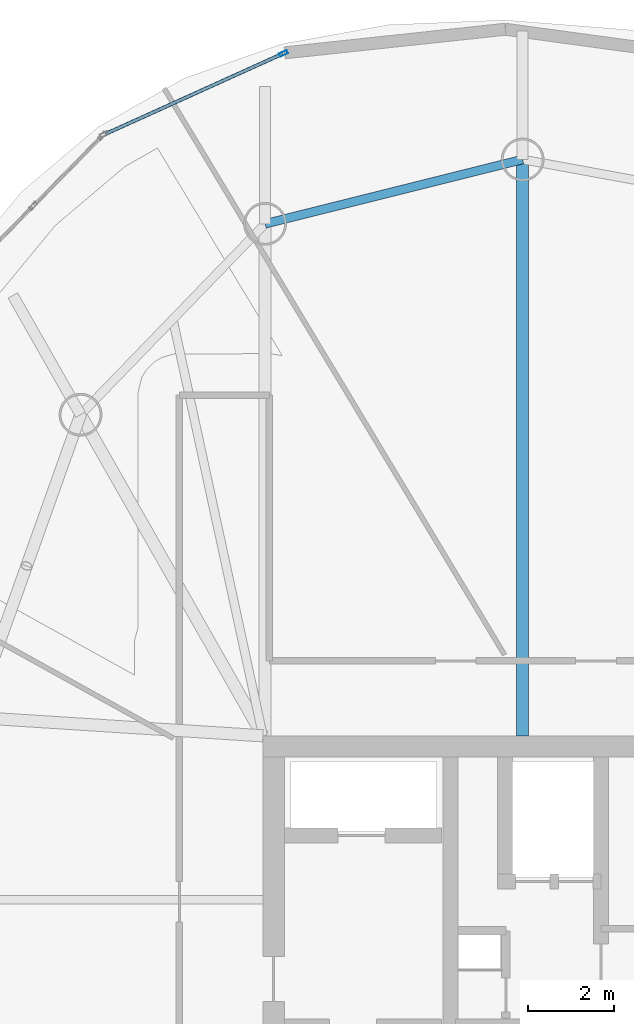
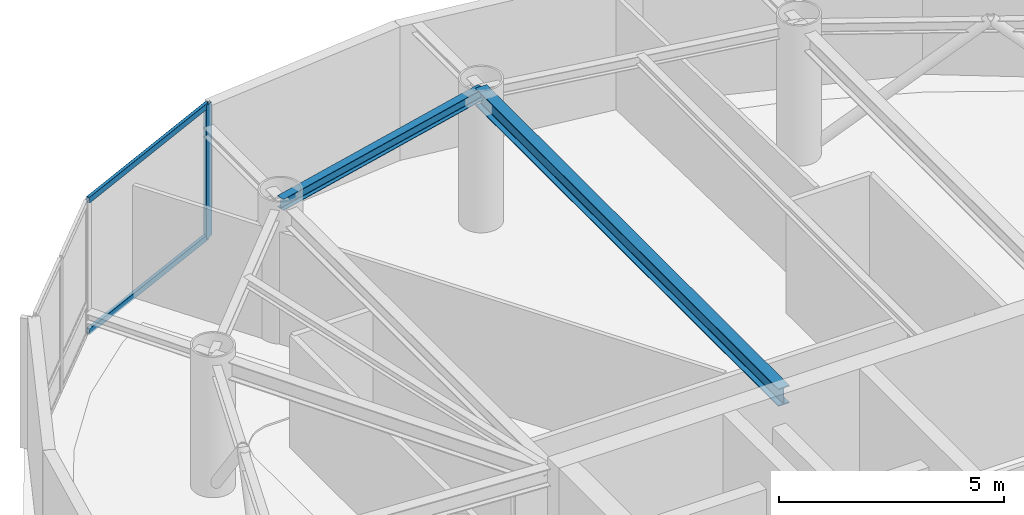
# One storey, part 13 of 22: 3 members, 2 beams, 1 element without a shape of its own.
"""IFC4 building model written with IfcOpenShell, lengths in metres."""

from ifc_helpers import new_model, si_unit, direction, frame, origin, origin_2d, place, context, subcontext, project, spatial, hollow_rectangle, i_section, extrude, material, layer, layer_set, material_profile, profile_set, type_object, element, aggregate, save


model = new_model("IFC4")

# Units and contexts
model_context = context("Model", 3, precision=1e-05, world=origin(), true_north=direction((0.0, 1.0)))
body_context = subcontext(model_context, "Body", "Model", "MODEL_VIEW")
ifc_project = project(units=[si_unit("LENGTHUNIT", "METRE"), si_unit("AREAUNIT", "SQUARE_METRE"), si_unit("VOLUMEUNIT", "CUBIC_METRE"), si_unit("PLANEANGLEUNIT", "RADIAN"), si_unit("MASSUNIT", "GRAM", prefix="KILO")], contexts=[model_context])

# Site, building, storey
site_placement = place(None, origin())
site = spatial("IfcSite", under=ifc_project, at=site_placement, CompositionType="ELEMENT")
building_placement = place(site_placement, origin())
building = spatial("IfcBuilding", under=site, at=building_placement, Name="Bramvorn Convention Spire", CompositionType="ELEMENT")
storey_placement = place(building_placement, frame((0.0, 0.0, 253.60009765625)))
storey = spatial("IfcBuildingStorey", under=building, at=storey_placement, Name="L64", CompositionType="ELEMENT", Elevation=253.60009765625)

# Beams
ifc_material_1 = material(Name="Steel CSA G40.21 Grade 350 (350W)", Category="steel")
ifc_material_profile_1 = material_profile(ifc_material_1, i_section(OverallWidth=0.202880859375, OverallDepth=0.302978515625, WebThickness=0.007568359375, FlangeThickness=0.01318359375, FilletRadius=0.013916015625, at=origin_2d()))
ifc_profile_set_1 = profile_set([ifc_material_profile_1], Name="Steel CSA G40.21 Grade 350 (350W) - W310X60")
beam_type_1 = type_object("IfcBeamType", Name="BM-W310X60", PredefinedType="JOIST", material=ifc_profile_set_1)
beam_1_placement = place(storey_placement, frame((32.8115234375, 46.90087890625, 3.473388671875), z_axis=(-0.970177255997, -0.24239655927, 0.0), x_axis=(0.24239655927, -0.970177255997, 0.0)))
element("IfcBeam", 1, at=beam_1_placement, inside=storey, type_object=beam_type_1, Name="L64 mega-column ring beam 08", PredefinedType="JOIST", context=body_context, shape_type="SweptSolid", body=[
    extrude(i_section(OverallWidth=0.202880859375, OverallDepth=0.302978515625, WebThickness=0.007568359375, FlangeThickness=0.01318359375, FilletRadius=0.013916015625, at=origin_2d()), origin(), (0.0, 0.0, 1.0), 6.1962890625),
])
ifc_material_profile_2 = material_profile(ifc_material_1, i_section(OverallWidth=0.283935546875, OverallDepth=0.47607421875, WebThickness=0.014892578125, FlangeThickness=0.02392578125, FilletRadius=0.01806640625, at=origin_2d()))
ifc_profile_set_2 = profile_set([ifc_material_profile_2], Name="Steel CSA G40.21 Grade 350 (350W) - W460X158")
beam_type_2 = type_object("IfcBeamType", Name="BM-W460X158", PredefinedType="SPANDREL", material=ifc_profile_set_2)
beam_2_placement = place(storey_placement, frame((32.8115234375, 33.449951171875, 3.386962890625), z_axis=(0.0, 1.0, 0.0), x_axis=(-1.0, 0.0, 0.0)))
element("IfcBeam", 2, at=beam_2_placement, inside=storey, type_object=beam_type_2, Name="L64 radial floor girder MC08", PredefinedType="SPANDREL", context=body_context, shape_type="SweptSolid", body=[
    extrude(i_section(OverallWidth=0.283935546875, OverallDepth=0.47607421875, WebThickness=0.014892578125, FlangeThickness=0.02392578125, FilletRadius=0.01806640625, at=origin_2d()), origin(), (0.0, 0.0, 1.0), 13.450927734375),
])

# Curtain wall, members
ifc_material_2 = material(Name="Anodised Bronze Unitised Curtain Wall", Category="aluminium")
ifc_layer = layer(ifc_material_2, 0.179931640625)
ifc_layer_set = layer_set([ifc_layer], Name="Anodised Bronze Unitised Curtain Wall - CW-OFF-FRIT")
curtain_wall_type = type_object("IfcCurtainWallType", Name="CW-OFF-FRIT", PredefinedType="USERDEFINED", material=ifc_layer_set)
curtain_wall_placement = place(storey_placement, origin())
curtain_wall = element("IfcCurtainWall", 3, at=curtain_wall_placement, inside=storey, type_object=curtain_wall_type, Name="L64 fritted glass curtain wall 12", ObjectType="UNITISED CURTAIN WALL", PredefinedType="USERDEFINED")
ifc_material_3 = material(Name="Anodised Bronze Aluminium 6063-T6", Category="aluminium")
ifc_material_profile_3 = material_profile(ifc_material_3, hollow_rectangle(XDim=0.080078125, YDim=0.199951171875, WallThickness=0.00390625, InnerFilletRadius=0.0009765625, OuterFilletRadius=0.00390625, at=origin_2d()))
ifc_profile_set_3 = profile_set([ifc_material_profile_3], Name="Anodised Bronze Aluminium 6063-T6 - CWM80X200")
member_type_1 = type_object("IfcMemberType", Name="CW-MUL-180", PredefinedType="MULLION", material=ifc_profile_set_3)
member_1_placement = place(storey_placement, frame((27.230712890625, 49.376953125, 0.0), z_axis=(0.0, 0.0, 1.0), x_axis=(-0.412373554098, 0.911014847234, 0.0)))
member_1 = element("IfcMember", 4, at=member_1_placement, type_object=member_type_1, Name="CW3 mullion 2", PredefinedType="MULLION", context=body_context, shape_type="SweptSolid", body=[
    extrude(hollow_rectangle(XDim=0.080078125, YDim=0.199951171875, WallThickness=0.00390625, InnerFilletRadius=0.0009765625, OuterFilletRadius=0.00390625, at=origin_2d()), origin(), (0.0, 0.0, 1.0), 3.625),
])
ifc_material_profile_4 = material_profile(ifc_material_3, hollow_rectangle(XDim=0.080078125, YDim=0.159912109375, WallThickness=0.00390625, InnerFilletRadius=0.0009765625, OuterFilletRadius=0.00390625, at=origin_2d()))
ifc_profile_set_4 = profile_set([ifc_material_profile_4], Name="Anodised Bronze Aluminium 6063-T6 - CWT80X160")
member_type_2 = type_object("IfcMemberType", Name="CW-TRN-150", PredefinedType="USERDEFINED", material=ifc_profile_set_4)
member_2_placement = place(storey_placement, frame((23.075927734375, 47.496337890625, 0.02978515625), z_axis=(0.91100575135, 0.412393648118, 0.0), x_axis=(-0.412393648118, 0.91100575135, 0.0)))
member_2 = element("IfcMember", 5, at=member_2_placement, type_object=member_type_2, Name="CW3 transom 1.1", ObjectType="TRANSOM", PredefinedType="USERDEFINED", context=body_context, shape_type="SweptSolid", body=[
    extrude(hollow_rectangle(XDim=0.080078125, YDim=0.159912109375, WallThickness=0.00390625, InnerFilletRadius=0.0009765625, OuterFilletRadius=0.00390625, at=origin_2d()), origin(), (0.0, 0.0, 1.0), 4.53076171875),
])
member_3_placement = place(storey_placement, frame((23.075927734375, 47.496337890625, 3.594970703125), z_axis=(0.91100575135, 0.412393648118, 0.0), x_axis=(-0.412393648118, 0.91100575135, 0.0)))
member_3 = element("IfcMember", 6, at=member_3_placement, type_object=member_type_2, Name="CW3 transom 1.2", ObjectType="TRANSOM", PredefinedType="USERDEFINED", context=body_context, shape_type="SweptSolid", body=[
    extrude(hollow_rectangle(XDim=0.080078125, YDim=0.159912109375, WallThickness=0.00390625, InnerFilletRadius=0.0009765625, OuterFilletRadius=0.00390625, at=origin_2d()), origin(), (0.0, 0.0, 1.0), 4.53076171875),
])
aggregate(curtain_wall, [member_1, member_2, member_3])

save(model, "model.ifc")
